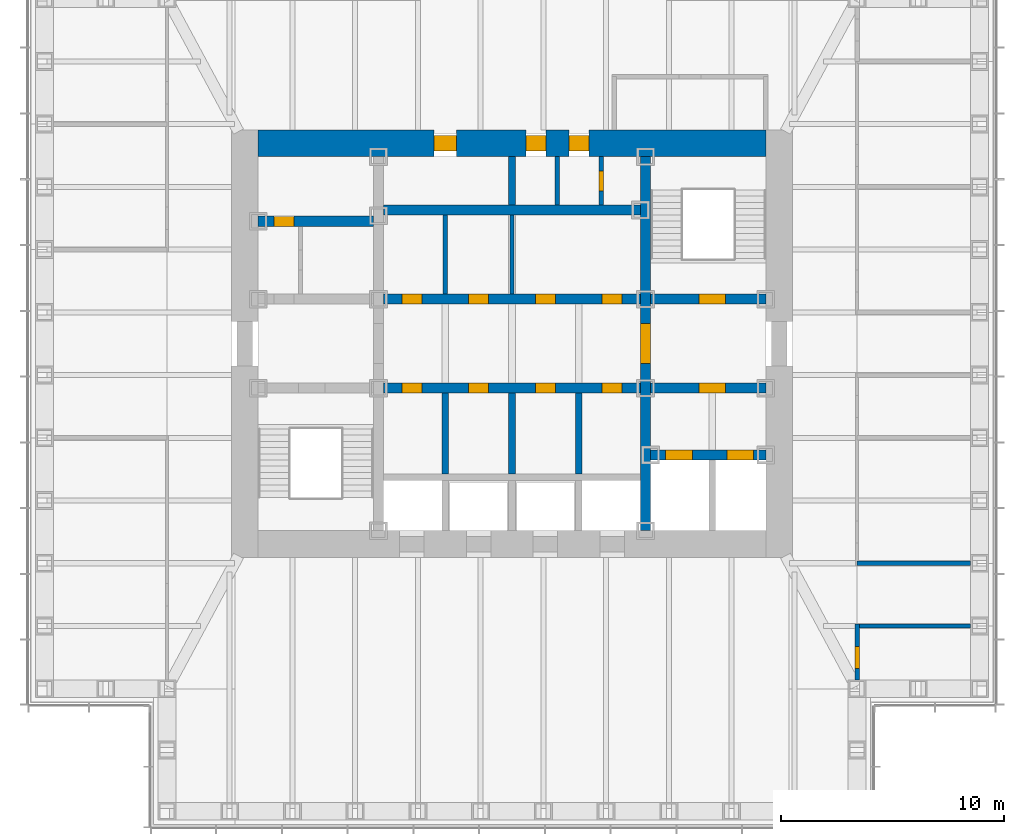
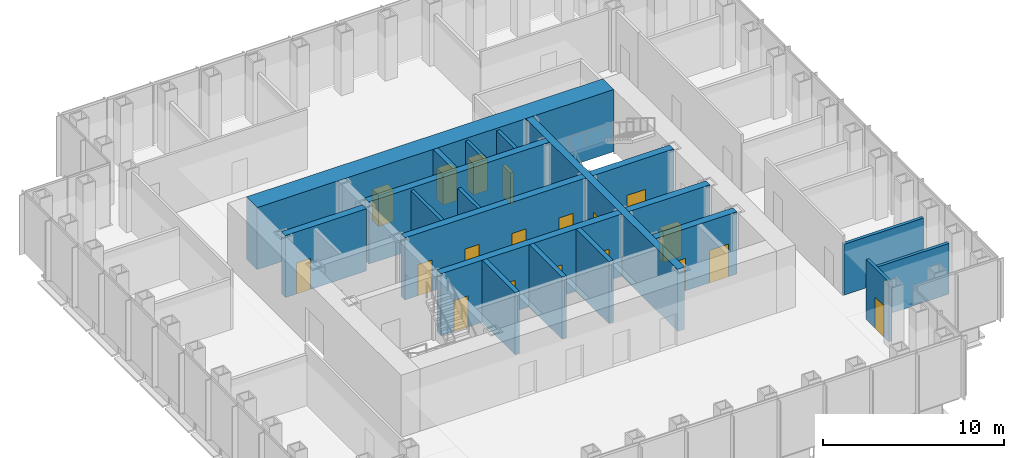
# One storey, part 9 of 16: 20 walls, 19 doors, 19 openings.
"""IFC4 building model written with IfcOpenShell, lengths in metres."""

from ifc_helpers import new_model, si_unit, direction, frame, frame_2d, origin, place, context, subcontext, project, spatial, rectangle, extrude, material, layer, layer_set, type_object, element, fill, save


model = new_model("IFC4")

# Units and contexts
model_context = context("Model", 3, precision=1e-05, world=origin(), true_north=direction((0.0, 1.0)))
body_context = subcontext(model_context, "Body", "Model", "MODEL_VIEW")
ifc_project = project(units=[si_unit("LENGTHUNIT", "METRE"), si_unit("AREAUNIT", "SQUARE_METRE"), si_unit("VOLUMEUNIT", "CUBIC_METRE"), si_unit("PLANEANGLEUNIT", "RADIAN"), si_unit("MASSUNIT", "GRAM", prefix="KILO")], contexts=[model_context])

# Site, building, storey
site_placement = place(None, origin())
site = spatial("IfcSite", under=ifc_project, at=site_placement, CompositionType="ELEMENT")
building_placement = place(site_placement, origin())
building = spatial("IfcBuilding", under=site, at=building_placement, Name="Daluyong Arena Tower", CompositionType="ELEMENT")
storey_placement = place(building_placement, frame((0.0, 0.0, 214.89990234375)))
storey = spatial("IfcBuildingStorey", under=building, at=storey_placement, Name="L48", CompositionType="ELEMENT", Elevation=214.89990234375)

# Wall, opening, door
ifc_material_1 = material(Name="Concrete fc' 45 MPa", Category="concrete")
ifc_layer_1 = layer(ifc_material_1, 0.449951171875)
ifc_layer_set_1 = layer_set([ifc_layer_1], Name="Concrete fc' 45 MPa")
wall_type_1 = type_object("IfcWallType", Name="Core inner wall 450", PredefinedType="SHEAR", material=ifc_layer_set_1)
wall_1_placement = place(storey_placement, frame((62.0, 71.60009765625, 0.0), z_axis=(0.0, 0.0, 1.0), x_axis=(0.0, 1.0, 0.0)))
wall_1 = element("IfcWall", 1, at=wall_1_placement, inside=storey, type_object=wall_type_1, Name="core inner wall at L48", PredefinedType="SHEAR", context=body_context, shape_type="SweptSolid", body=[
    extrude(rectangle(XDim=16.7998046875, YDim=0.449951171875, at=frame_2d((8.39990234375, 0.0))), origin(), (0.0, 0.0, 1.0), 4.2001953125),
])
opening_1_placement = place(wall_1_placement, frame((7.5, 0.0, 0.0)))
opening_1 = element("IfcOpeningElement", 2, at=opening_1_placement, cuts=wall_1, Name="Opening 48021", PredefinedType="OPENING", context=body_context, shape_type="SweptSolid", body=[
    extrude(rectangle(XDim=1.800048828125, YDim=2.39990234375, at=frame_2d((0.89990234375, 1.199951171875))), frame((0.0, 0.23486328125, 0.0), z_axis=(0.0, -1.0, 0.0), x_axis=(1.0, 0.0, 0.0)), (0.0, 0.0, 1.0), 0.469970703125),
])
ifc_material_2 = material(Name="Steel door, fire rated", Category="steel")
door_type_1 = type_object("IfcDoorType", Name="Lift lobby opening door 1800", OperationType="DOUBLE_DOOR_SINGLE_SWING", PredefinedType="DOOR", material=ifc_material_2)
door_1_placement = place(opening_1_placement, origin())
door_1 = element("IfcDoor", 3, at=door_1_placement, inside=storey, type_object=door_type_1, Name="lift lobby door east 48021", OperationType="DOUBLE_DOOR_SINGLE_SWING", OverallHeight=2.39990234375, OverallWidth=1.800048828125, PredefinedType="DOOR", context=body_context, shape_type="SweptSolid", body=[
    extrude(rectangle(XDim=1.800048828125, YDim=2.39990234375, at=frame_2d((0.89990234375, 1.199951171875))), frame((0.0, 0.224609375, 0.0), z_axis=(0.0, -1.0, 0.0), x_axis=(1.0, 0.0, 0.0)), (0.0, 0.0, 1.0), 0.449462890625),
])
fill(opening_1, door_1)

wall_2_placement = place(storey_placement, frame((44.60009765625, 85.5, 0.0), z_axis=(0.0, 0.0, 1.0), x_axis=(1.0, 0.0, 0.0)))
wall_2 = element("IfcWall", 4, at=wall_2_placement, inside=storey, type_object=wall_type_1, Name="core inner wall at L48", PredefinedType="SHEAR", context=body_context, shape_type="SweptSolid", body=[
    extrude(rectangle(XDim=5.1748046875, YDim=0.449951171875, at=frame_2d((2.58740234375, 0.0))), origin(), (0.0, 0.0, 1.0), 4.2001953125),
])
opening_2_placement = place(wall_2_placement, frame((0.699951171875, 0.0, 0.0)))
opening_2 = element("IfcOpeningElement", 5, at=opening_2_placement, cuts=wall_2, Name="Opening 48003", PredefinedType="OPENING", context=body_context, shape_type="SweptSolid", body=[
    extrude(rectangle(XDim=0.89990234375, YDim=2.10009765625, at=frame_2d((0.449951171875, 1.050048828125))), frame((0.0, 0.23486328125, 0.0), z_axis=(0.0, -1.0, 0.0), x_axis=(1.0, 0.0, 0.0)), (0.0, 0.0, 1.0), 0.469970703125),
])
ifc_material_3 = material(Name="Timber door", Category="wood")
door_type_2 = type_object("IfcDoorType", Name="Toilet door 900", OperationType="SINGLE_SWING_RIGHT", PredefinedType="DOOR", material=ifc_material_3)
door_2_placement = place(opening_2_placement, origin())
door_2 = element("IfcDoor", 6, at=door_2_placement, inside=storey, type_object=door_type_2, Name="female toilet door 48003", OperationType="SINGLE_SWING_RIGHT", OverallHeight=2.10009765625, OverallWidth=0.89990234375, PredefinedType="DOOR", context=body_context, shape_type="SweptSolid", body=[
    extrude(rectangle(XDim=0.89990234375, YDim=2.10009765625, at=frame_2d((0.449951171875, 1.050048828125))), frame((0.0, 0.224609375, 0.0), z_axis=(0.0, -1.0, 0.0), x_axis=(1.0, 0.0, 0.0)), (0.0, 0.0, 1.0), 0.449462890625),
])
fill(opening_2, door_2)

# Wall, openings, doors
wall_3_placement = place(storey_placement, frame((62.22509765625, 75.0, 0.0), z_axis=(0.0, 0.0, 1.0), x_axis=(1.0, 0.0, 0.0)))
wall_3 = element("IfcWall", 7, at=wall_3_placement, inside=storey, type_object=wall_type_1, Name="core inner wall at L48", PredefinedType="SHEAR", context=body_context, shape_type="SweptSolid", body=[
    extrude(rectangle(XDim=5.1748046875, YDim=0.449951171875, at=frame_2d((2.58740234375, 0.0))), origin(), (0.0, 0.0, 1.0), 4.2001953125),
])
opening_3_placement = place(wall_3_placement, frame((0.675048828125, 0.0, 0.0)))
opening_3 = element("IfcOpeningElement", 8, at=opening_3_placement, cuts=wall_3, Name="Opening 48027", PredefinedType="OPENING", context=body_context, shape_type="SweptSolid", body=[
    extrude(rectangle(XDim=1.199951171875, YDim=2.199951171875, at=frame_2d((0.60009765625, 1.10009765625))), frame((0.0, 0.23486328125, 0.0), z_axis=(0.0, -1.0, 0.0), x_axis=(1.0, 0.0, 0.0)), (0.0, 0.0, 1.0), 0.469970703125),
])
opening_4_placement = place(wall_3_placement, frame((3.425048828125, 0.0, 0.0)))
opening_4 = element("IfcOpeningElement", 9, at=opening_4_placement, cuts=wall_3, Name="Opening 48028", PredefinedType="OPENING", context=body_context, shape_type="SweptSolid", body=[
    extrude(rectangle(XDim=1.199951171875, YDim=2.199951171875, at=frame_2d((0.60009765625, 1.10009765625))), frame((0.0, 0.23486328125, 0.0), z_axis=(0.0, -1.0, 0.0), x_axis=(1.0, 0.0, 0.0)), (0.0, 0.0, 1.0), 0.469970703125),
])
ifc_material_4 = material(Name="Steel door, fire rated", Category="steel")
door_type_3 = type_object("IfcDoorType", Name="Firefighting lift landing door 1200", OperationType="SLIDING_TO_LEFT", PredefinedType="DOOR", material=ifc_material_4)
door_3_placement = place(opening_3_placement, origin())
door_3 = element("IfcDoor", 10, at=door_3_placement, inside=storey, type_object=door_type_3, Name="firefighting lift landing door F1 48027", OperationType="SLIDING_TO_LEFT", OverallHeight=2.199951171875, OverallWidth=1.199951171875, PredefinedType="DOOR", context=body_context, shape_type="SweptSolid", body=[
    extrude(rectangle(XDim=1.199951171875, YDim=2.199951171875, at=frame_2d((0.60009765625, 1.10009765625))), frame((0.0, 0.224609375, 0.0), z_axis=(0.0, -1.0, 0.0), x_axis=(1.0, 0.0, 0.0)), (0.0, 0.0, 1.0), 0.449462890625),
])
fill(opening_3, door_3)
door_4_placement = place(opening_4_placement, origin())
door_4 = element("IfcDoor", 11, at=door_4_placement, inside=storey, type_object=door_type_3, Name="firefighting lift landing door F2 48028", OperationType="SLIDING_TO_LEFT", OverallHeight=2.199951171875, OverallWidth=1.199951171875, PredefinedType="DOOR", context=body_context, shape_type="SweptSolid", body=[
    extrude(rectangle(XDim=1.199951171875, YDim=2.199951171875, at=frame_2d((0.60009765625, 1.10009765625))), frame((0.0, 0.224609375, 0.0), z_axis=(0.0, -1.0, 0.0), x_axis=(1.0, 0.0, 0.0)), (0.0, 0.0, 1.0), 0.449462890625),
])
fill(opening_4, door_4)

# Wall, opening, door
wall_4_placement = place(storey_placement, frame((62.22509765625, 78.0, 0.0), z_axis=(0.0, 0.0, 1.0), x_axis=(1.0, 0.0, 0.0)))
wall_4 = element("IfcWall", 12, at=wall_4_placement, inside=storey, type_object=wall_type_1, Name="core inner wall at L48", PredefinedType="SHEAR", context=body_context, shape_type="SweptSolid", body=[
    extrude(rectangle(XDim=5.1748046875, YDim=0.449951171875, at=frame_2d((2.58740234375, 0.0))), origin(), (0.0, 0.0, 1.0), 4.2001953125),
])
opening_5_placement = place(wall_4_placement, frame((2.175048828125, 0.0, 0.0)))
opening_5 = element("IfcOpeningElement", 13, at=opening_5_placement, cuts=wall_4, Name="Opening 48022", PredefinedType="OPENING", context=body_context, shape_type="SweptSolid", body=[
    extrude(rectangle(XDim=1.199951171875, YDim=2.10009765625, at=frame_2d((0.60009765625, 1.050048828125))), frame((0.0, 0.23486328125, 0.0), z_axis=(0.0, -1.0, 0.0), x_axis=(1.0, 0.0, 0.0)), (0.0, 0.0, 1.0), 0.469970703125),
])
ifc_material_5 = material(Name="Steel door, fire rated", Category="steel")
door_type_4 = type_object("IfcDoorType", Name="Firefighting lobby door 1200", OperationType="SINGLE_SWING_RIGHT", PredefinedType="DOOR", material=ifc_material_5)
door_5_placement = place(opening_5_placement, origin())
door_5 = element("IfcDoor", 14, at=door_5_placement, inside=storey, type_object=door_type_4, Name="firefighting lobby door 48022", OperationType="SINGLE_SWING_RIGHT", OverallHeight=2.10009765625, OverallWidth=1.199951171875, PredefinedType="DOOR", context=body_context, shape_type="SweptSolid", body=[
    extrude(rectangle(XDim=1.199951171875, YDim=2.10009765625, at=frame_2d((0.60009765625, 1.050048828125))), frame((0.0, 0.224609375, 0.0), z_axis=(0.0, -1.0, 0.0), x_axis=(1.0, 0.0, 0.0)), (0.0, 0.0, 1.0), 0.449462890625),
])
fill(opening_5, door_5)

wall_5_placement = place(storey_placement, frame((62.22509765625, 82.0, 0.0), z_axis=(0.0, 0.0, 1.0), x_axis=(1.0, 0.0, 0.0)))
wall_5 = element("IfcWall", 15, at=wall_5_placement, inside=storey, type_object=wall_type_1, Name="core inner wall at L48", PredefinedType="SHEAR", context=body_context, shape_type="SweptSolid", body=[
    extrude(rectangle(XDim=5.1748046875, YDim=0.449951171875, at=frame_2d((2.58740234375, 0.0))), origin(), (0.0, 0.0, 1.0), 4.2001953125),
])
opening_6_placement = place(wall_5_placement, frame((2.175048828125, 0.0, 0.0)))
opening_6 = element("IfcOpeningElement", 16, at=opening_6_placement, cuts=wall_5, Name="Opening 48017", PredefinedType="OPENING", context=body_context, shape_type="SweptSolid", body=[
    extrude(rectangle(XDim=1.199951171875, YDim=2.10009765625, at=frame_2d((0.60009765625, 1.050048828125))), frame((0.0, 0.23486328125, 0.0), z_axis=(0.0, -1.0, 0.0), x_axis=(1.0, 0.0, 0.0)), (0.0, 0.0, 1.0), 0.469970703125),
])
ifc_material_6 = material(Name="Steel door, fire rated", Category="steel")
door_type_5 = type_object("IfcDoorType", Name="Stair door 1200", OperationType="SINGLE_SWING_LEFT", PredefinedType="DOOR", material=ifc_material_6)
door_6_placement = place(opening_6_placement, origin())
door_6 = element("IfcDoor", 17, at=door_6_placement, inside=storey, type_object=door_type_5, Name="stair B door 48017", OperationType="SINGLE_SWING_LEFT", OverallHeight=2.10009765625, OverallWidth=1.199951171875, PredefinedType="DOOR", context=body_context, shape_type="SweptSolid", body=[
    extrude(rectangle(XDim=1.199951171875, YDim=2.10009765625, at=frame_2d((0.60009765625, 1.050048828125))), frame((0.0, 0.224609375, 0.0), z_axis=(0.0, -1.0, 0.0), x_axis=(1.0, 0.0, 0.0)), (0.0, 0.0, 1.0), 0.449462890625),
])
fill(opening_6, door_6)

# Wall, openings, doors
wall_6_placement = place(storey_placement, frame((50.22509765625, 78.0, 0.0), z_axis=(0.0, 0.0, 1.0), x_axis=(1.0, 0.0, 0.0)))
wall_6 = element("IfcWall", 18, at=wall_6_placement, inside=storey, type_object=wall_type_1, Name="core inner wall at L48", PredefinedType="SHEAR", context=body_context, shape_type="SweptSolid", body=[
    extrude(rectangle(XDim=11.5498046875, YDim=0.449951171875, at=frame_2d((5.77490234375, 0.0))), origin(), (0.0, 0.0, 1.0), 4.2001953125),
])
opening_7_placement = place(wall_6_placement, frame((0.824951171875, 0.0, 0.0)))
opening_7 = element("IfcOpeningElement", 19, at=opening_7_placement, cuts=wall_6, Name="Opening 48008", PredefinedType="OPENING", context=body_context, shape_type="SweptSolid", body=[
    extrude(rectangle(XDim=0.89990234375, YDim=2.10009765625, at=frame_2d((0.449951171875, 1.050048828125))), frame((0.0, 0.23486328125, 0.0), z_axis=(0.0, -1.0, 0.0), x_axis=(1.0, 0.0, 0.0)), (0.0, 0.0, 1.0), 0.469970703125),
])
opening_8_placement = place(wall_6_placement, frame((3.824951171875, 0.0, 0.0)))
opening_8 = element("IfcOpeningElement", 20, at=opening_8_placement, cuts=wall_6, Name="Opening 48009", PredefinedType="OPENING", context=body_context, shape_type="SweptSolid", body=[
    extrude(rectangle(XDim=0.89990234375, YDim=2.10009765625, at=frame_2d((0.449951171875, 1.050048828125))), frame((0.0, 0.23486328125, 0.0), z_axis=(0.0, -1.0, 0.0), x_axis=(1.0, 0.0, 0.0)), (0.0, 0.0, 1.0), 0.469970703125),
])
opening_9_placement = place(wall_6_placement, frame((6.824951171875, 0.0, 0.0)))
opening_9 = element("IfcOpeningElement", 21, at=opening_9_placement, cuts=wall_6, Name="Opening 48010", PredefinedType="OPENING", context=body_context, shape_type="SweptSolid", body=[
    extrude(rectangle(XDim=0.89990234375, YDim=2.10009765625, at=frame_2d((0.449951171875, 1.050048828125))), frame((0.0, 0.23486328125, 0.0), z_axis=(0.0, -1.0, 0.0), x_axis=(1.0, 0.0, 0.0)), (0.0, 0.0, 1.0), 0.469970703125),
])
opening_10_placement = place(wall_6_placement, frame((9.824951171875, 0.0, 0.0)))
opening_10 = element("IfcOpeningElement", 22, at=opening_10_placement, cuts=wall_6, Name="Opening 48011", PredefinedType="OPENING", context=body_context, shape_type="SweptSolid", body=[
    extrude(rectangle(XDim=0.89990234375, YDim=2.10009765625, at=frame_2d((0.449951171875, 1.050048828125))), frame((0.0, 0.23486328125, 0.0), z_axis=(0.0, -1.0, 0.0), x_axis=(1.0, 0.0, 0.0)), (0.0, 0.0, 1.0), 0.469970703125),
])
ifc_material_7 = material(Name="Steel door, fire rated", Category="steel")
door_type_6 = type_object("IfcDoorType", Name="Core room door 900", OperationType="SINGLE_SWING_LEFT", PredefinedType="DOOR", material=ifc_material_7)
door_7_placement = place(opening_10_placement, origin())
door_7 = element("IfcDoor", 23, at=door_7_placement, inside=storey, type_object=door_type_6, Name="mail room door 48011", OperationType="SINGLE_SWING_LEFT", OverallHeight=2.10009765625, OverallWidth=0.89990234375, PredefinedType="DOOR", context=body_context, shape_type="SweptSolid", body=[
    extrude(rectangle(XDim=0.89990234375, YDim=2.10009765625, at=frame_2d((0.449951171875, 1.050048828125))), frame((0.0, 0.224609375, 0.0), z_axis=(0.0, -1.0, 0.0), x_axis=(1.0, 0.0, 0.0)), (0.0, 0.0, 1.0), 0.449462890625),
])
fill(opening_10, door_7)
ifc_material_8 = material(Name="Steel door, fire rated", Category="steel")
door_type_7 = type_object("IfcDoorType", Name="Core store door 900", OperationType="SINGLE_SWING_LEFT", PredefinedType="DOOR", material=ifc_material_8)
door_8_placement = place(opening_7_placement, origin())
door_8 = element("IfcDoor", 24, at=door_8_placement, inside=storey, type_object=door_type_7, Name="stationery store door 48008", OperationType="SINGLE_SWING_LEFT", OverallHeight=2.10009765625, OverallWidth=0.89990234375, PredefinedType="DOOR", context=body_context, shape_type="SweptSolid", body=[
    extrude(rectangle(XDim=0.89990234375, YDim=2.10009765625, at=frame_2d((0.449951171875, 1.050048828125))), frame((0.0, 0.224609375, 0.0), z_axis=(0.0, -1.0, 0.0), x_axis=(1.0, 0.0, 0.0)), (0.0, 0.0, 1.0), 0.449462890625),
])
fill(opening_7, door_8)
door_9_placement = place(opening_8_placement, origin())
door_9 = element("IfcDoor", 25, at=door_9_placement, inside=storey, type_object=door_type_7, Name="cleaner's store door 48009", OperationType="SINGLE_SWING_LEFT", OverallHeight=2.10009765625, OverallWidth=0.89990234375, PredefinedType="DOOR", context=body_context, shape_type="SweptSolid", body=[
    extrude(rectangle(XDim=0.89990234375, YDim=2.10009765625, at=frame_2d((0.449951171875, 1.050048828125))), frame((0.0, 0.224609375, 0.0), z_axis=(0.0, -1.0, 0.0), x_axis=(1.0, 0.0, 0.0)), (0.0, 0.0, 1.0), 0.449462890625),
])
fill(opening_8, door_9)
door_10_placement = place(opening_9_placement, origin())
door_10 = element("IfcDoor", 26, at=door_10_placement, inside=storey, type_object=door_type_7, Name="security store door 48010", OperationType="SINGLE_SWING_LEFT", OverallHeight=2.10009765625, OverallWidth=0.89990234375, PredefinedType="DOOR", context=body_context, shape_type="SweptSolid", body=[
    extrude(rectangle(XDim=0.89990234375, YDim=2.10009765625, at=frame_2d((0.449951171875, 1.050048828125))), frame((0.0, 0.224609375, 0.0), z_axis=(0.0, -1.0, 0.0), x_axis=(1.0, 0.0, 0.0)), (0.0, 0.0, 1.0), 0.449462890625),
])
fill(opening_9, door_10)

wall_7_placement = place(storey_placement, frame((50.22509765625, 82.0, 0.0), z_axis=(0.0, 0.0, 1.0), x_axis=(1.0, 0.0, 0.0)))
wall_7 = element("IfcWall", 27, at=wall_7_placement, inside=storey, type_object=wall_type_1, Name="core inner wall at L48", PredefinedType="SHEAR", context=body_context, shape_type="SweptSolid", body=[
    extrude(rectangle(XDim=11.5498046875, YDim=0.449951171875, at=frame_2d((5.77490234375, 0.0))), origin(), (0.0, 0.0, 1.0), 4.2001953125),
])
opening_11_placement = place(wall_7_placement, frame((0.824951171875, 0.0, 0.0)))
opening_11 = element("IfcOpeningElement", 28, at=opening_11_placement, cuts=wall_7, Name="Opening 48012", PredefinedType="OPENING", context=body_context, shape_type="SweptSolid", body=[
    extrude(rectangle(XDim=0.89990234375, YDim=2.10009765625, at=frame_2d((0.449951171875, 1.050048828125))), frame((0.0, 0.23486328125, 0.0), z_axis=(0.0, -1.0, 0.0), x_axis=(1.0, 0.0, 0.0)), (0.0, 0.0, 1.0), 0.469970703125),
])
opening_12_placement = place(wall_7_placement, frame((3.824951171875, 0.0, 0.0)))
opening_12 = element("IfcOpeningElement", 29, at=opening_12_placement, cuts=wall_7, Name="Opening 48013", PredefinedType="OPENING", context=body_context, shape_type="SweptSolid", body=[
    extrude(rectangle(XDim=0.89990234375, YDim=2.10009765625, at=frame_2d((0.449951171875, 1.050048828125))), frame((0.0, 0.23486328125, 0.0), z_axis=(0.0, -1.0, 0.0), x_axis=(1.0, 0.0, 0.0)), (0.0, 0.0, 1.0), 0.469970703125),
])
opening_13_placement = place(wall_7_placement, frame((6.824951171875, 0.0, 0.0)))
opening_13 = element("IfcOpeningElement", 30, at=opening_13_placement, cuts=wall_7, Name="Opening 48014", PredefinedType="OPENING", context=body_context, shape_type="SweptSolid", body=[
    extrude(rectangle(XDim=0.89990234375, YDim=2.10009765625, at=frame_2d((0.449951171875, 1.050048828125))), frame((0.0, 0.23486328125, 0.0), z_axis=(0.0, -1.0, 0.0), x_axis=(1.0, 0.0, 0.0)), (0.0, 0.0, 1.0), 0.469970703125),
])
opening_14_placement = place(wall_7_placement, frame((9.824951171875, 0.0, 0.0)))
opening_14 = element("IfcOpeningElement", 31, at=opening_14_placement, cuts=wall_7, Name="Opening 48015", PredefinedType="OPENING", context=body_context, shape_type="SweptSolid", body=[
    extrude(rectangle(XDim=0.89990234375, YDim=2.10009765625, at=frame_2d((0.449951171875, 1.050048828125))), frame((0.0, 0.23486328125, 0.0), z_axis=(0.0, -1.0, 0.0), x_axis=(1.0, 0.0, 0.0)), (0.0, 0.0, 1.0), 0.469970703125),
])
door_11_placement = place(opening_11_placement, origin())
door_11 = element("IfcDoor", 32, at=door_11_placement, inside=storey, type_object=door_type_6, Name="parcel room door 48012", OperationType="SINGLE_SWING_LEFT", OverallHeight=2.10009765625, OverallWidth=0.89990234375, PredefinedType="DOOR", context=body_context, shape_type="SweptSolid", body=[
    extrude(rectangle(XDim=0.89990234375, YDim=2.10009765625, at=frame_2d((0.449951171875, 1.050048828125))), frame((0.0, 0.224609375, 0.0), z_axis=(0.0, -1.0, 0.0), x_axis=(1.0, 0.0, 0.0)), (0.0, 0.0, 1.0), 0.449462890625),
])
fill(opening_11, door_11)
door_12_placement = place(opening_12_placement, origin())
door_12 = element("IfcDoor", 33, at=door_12_placement, inside=storey, type_object=door_type_7, Name="tenant store door 48013", OperationType="SINGLE_SWING_LEFT", OverallHeight=2.10009765625, OverallWidth=0.89990234375, PredefinedType="DOOR", context=body_context, shape_type="SweptSolid", body=[
    extrude(rectangle(XDim=0.89990234375, YDim=2.10009765625, at=frame_2d((0.449951171875, 1.050048828125))), frame((0.0, 0.224609375, 0.0), z_axis=(0.0, -1.0, 0.0), x_axis=(1.0, 0.0, 0.0)), (0.0, 0.0, 1.0), 0.449462890625),
])
fill(opening_12, door_12)
door_13_placement = place(opening_13_placement, origin())
door_13 = element("IfcDoor", 34, at=door_13_placement, inside=storey, type_object=door_type_7, Name="furniture store door 48014", OperationType="SINGLE_SWING_LEFT", OverallHeight=2.10009765625, OverallWidth=0.89990234375, PredefinedType="DOOR", context=body_context, shape_type="SweptSolid", body=[
    extrude(rectangle(XDim=0.89990234375, YDim=2.10009765625, at=frame_2d((0.449951171875, 1.050048828125))), frame((0.0, 0.224609375, 0.0), z_axis=(0.0, -1.0, 0.0), x_axis=(1.0, 0.0, 0.0)), (0.0, 0.0, 1.0), 0.449462890625),
])
fill(opening_13, door_13)
door_14_placement = place(opening_14_placement, origin())
door_14 = element("IfcDoor", 35, at=door_14_placement, inside=storey, type_object=door_type_7, Name="furniture store door 48015", OperationType="SINGLE_SWING_LEFT", OverallHeight=2.10009765625, OverallWidth=0.89990234375, PredefinedType="DOOR", context=body_context, shape_type="SweptSolid", body=[
    extrude(rectangle(XDim=0.89990234375, YDim=2.10009765625, at=frame_2d((0.449951171875, 1.050048828125))), frame((0.0, 0.224609375, 0.0), z_axis=(0.0, -1.0, 0.0), x_axis=(1.0, 0.0, 0.0)), (0.0, 0.0, 1.0), 0.449462890625),
])
fill(opening_14, door_14)

# Wall
wall_8_placement = place(storey_placement, frame((50.22509765625, 86.0, 0.0), z_axis=(0.0, 0.0, 1.0), x_axis=(1.0, 0.0, 0.0)))
element("IfcWall", 36, at=wall_8_placement, inside=storey, type_object=wall_type_1, Name="core inner wall at L48", PredefinedType="SHEAR", context=body_context, shape_type="SweptSolid", body=[
    extrude(rectangle(XDim=11.5498046875, YDim=0.449951171875, at=frame_2d((5.77490234375, 0.0))), origin(), (0.0, 0.0, 1.0), 4.2001953125),
])

# Wall, openings, doors
ifc_material_9 = material(Name="Concrete fc' 60 MPa", Category="concrete")
ifc_layer_2 = layer(ifc_material_9, 1.199951171875)
ifc_layer_set_2 = layer_set([ifc_layer_2], Name="Concrete fc' 60 MPa")
wall_type_2 = type_object("IfcWallType", Name="Core wall 1200", PredefinedType="SHEAR", material=ifc_layer_set_2)
wall_9_placement = place(storey_placement, frame((44.60009765625, 89.0, 0.0), z_axis=(0.0, 0.0, 1.0), x_axis=(1.0, 0.0, 0.0)))
wall_9 = element("IfcWall", 37, at=wall_9_placement, inside=storey, type_object=wall_type_2, Name="core wall at L48", PredefinedType="SHEAR", context=body_context, shape_type="SweptSolid", body=[
    extrude(rectangle(XDim=22.7998046875, YDim=1.199951171875, at=frame_2d((11.39990234375, 0.0))), origin(), (0.0, 0.0, 1.0), 4.2001953125),
])
opening_15_placement = place(wall_9_placement, frame((7.89990234375, 0.0, 0.0)))
opening_15 = element("IfcOpeningElement", 38, at=opening_15_placement, cuts=wall_9, Name="Opening 48004", PredefinedType="OPENING", context=body_context, shape_type="SweptSolid", body=[
    extrude(rectangle(XDim=1.0, YDim=2.10009765625, at=frame_2d((0.5, 1.050048828125))), frame((0.0, 0.60986328125, 0.0), z_axis=(0.0, -1.0, 0.0), x_axis=(1.0, 0.0, 0.0)), (0.0, 0.0, 1.0), 1.219970703125),
])
opening_16_placement = place(wall_9_placement, frame((12.02490234375, 0.0, 0.0)))
opening_16 = element("IfcOpeningElement", 39, at=opening_16_placement, cuts=wall_9, Name="Opening 48005", PredefinedType="OPENING", context=body_context, shape_type="SweptSolid", body=[
    extrude(rectangle(XDim=0.89990234375, YDim=2.10009765625, at=frame_2d((0.449951171875, 1.050048828125))), frame((0.0, 0.60986328125, 0.0), z_axis=(0.0, -1.0, 0.0), x_axis=(1.0, 0.0, 0.0)), (0.0, 0.0, 1.0), 1.219970703125),
])
opening_17_placement = place(wall_9_placement, frame((13.96240234375, 0.0, 0.0)))
opening_17 = element("IfcOpeningElement", 40, at=opening_17_placement, cuts=wall_9, Name="Opening 48006", PredefinedType="OPENING", context=body_context, shape_type="SweptSolid", body=[
    extrude(rectangle(XDim=0.89990234375, YDim=2.10009765625, at=frame_2d((0.449951171875, 1.050048828125))), frame((0.0, 0.60986328125, 0.0), z_axis=(0.0, -1.0, 0.0), x_axis=(1.0, 0.0, 0.0)), (0.0, 0.0, 1.0), 1.219970703125),
])
ifc_material_10 = material(Name="Timber door", Category="wood")
door_type_8 = type_object("IfcDoorType", Name="Accessible toilet door 1000", OperationType="SINGLE_SWING_LEFT", PredefinedType="DOOR", material=ifc_material_10)
door_15_placement = place(opening_15_placement, origin())
door_15 = element("IfcDoor", 41, at=door_15_placement, inside=storey, type_object=door_type_8, Name="accessible toilet door 48004", OperationType="SINGLE_SWING_LEFT", OverallHeight=2.10009765625, OverallWidth=1.0, PredefinedType="DOOR", context=body_context, shape_type="SweptSolid", body=[
    extrude(rectangle(XDim=1.0, YDim=2.10009765625, at=frame_2d((0.5, 1.050048828125))), frame((0.0, 0.35009765625, 0.0), z_axis=(0.0, -1.0, 0.0), x_axis=(1.0, 0.0, 0.0)), (0.0, 0.0, 1.0), 0.699951171875),
])
fill(opening_15, door_15)
door_16_placement = place(opening_16_placement, origin())
door_16 = element("IfcDoor", 42, at=door_16_placement, inside=storey, type_object=door_type_7, Name="facilities store door 48005", OperationType="SINGLE_SWING_LEFT", OverallHeight=2.10009765625, OverallWidth=0.89990234375, PredefinedType="DOOR", context=body_context, shape_type="SweptSolid", body=[
    extrude(rectangle(XDim=0.89990234375, YDim=2.10009765625, at=frame_2d((0.449951171875, 1.050048828125))), frame((0.0, 0.35009765625, 0.0), z_axis=(0.0, -1.0, 0.0), x_axis=(1.0, 0.0, 0.0)), (0.0, 0.0, 1.0), 0.699951171875),
])
fill(opening_16, door_16)
ifc_material_11 = material(Name="Steel door, fire rated", Category="steel")
door_type_9 = type_object("IfcDoorType", Name="Plant room door 900", OperationType="SINGLE_SWING_LEFT", PredefinedType="DOOR", material=ifc_material_11)
door_17_placement = place(opening_17_placement, origin())
door_17 = element("IfcDoor", 43, at=door_17_placement, inside=storey, type_object=door_type_9, Name="comms room door 48006", OperationType="SINGLE_SWING_LEFT", OverallHeight=2.10009765625, OverallWidth=0.89990234375, PredefinedType="DOOR", context=body_context, shape_type="SweptSolid", body=[
    extrude(rectangle(XDim=0.89990234375, YDim=2.10009765625, at=frame_2d((0.449951171875, 1.050048828125))), frame((0.0, 0.35009765625, 0.0), z_axis=(0.0, -1.0, 0.0), x_axis=(1.0, 0.0, 0.0)), (0.0, 0.0, 1.0), 0.699951171875),
])
fill(opening_17, door_17)

# Wall, opening, door
ifc_material_12 = material(Name="Concrete block partition, fire rated", Category="concrete")
ifc_layer_3 = layer(ifc_material_12, 0.199951171875)
ifc_layer_set_3 = layer_set([ifc_layer_3], Name="Concrete block partition, fire rated")
wall_type_3 = type_object("IfcWallType", Name="Fire-rated partition 200", PredefinedType="PARTITIONING", material=ifc_layer_set_3)
wall_10_placement = place(storey_placement, frame((60.0, 86.22509765625, 0.0), z_axis=(0.0, 0.0, 1.0), x_axis=(0.0, 1.0, 0.0)))
wall_10 = element("IfcWall", 44, at=wall_10_placement, inside=storey, type_object=wall_type_3, Name="electrical riser enclosure at L48", PredefinedType="PARTITIONING", context=body_context, shape_type="SweptSolid", body=[
    extrude(rectangle(XDim=2.1748046875, YDim=0.199951171875, at=frame_2d((1.08740234375, 0.0))), origin(), (0.0, 0.0, 1.0), 4.0400390625),
])
opening_18_placement = place(wall_10_placement, frame((0.637451171875, 0.0, 0.0)))
opening_18 = element("IfcOpeningElement", 45, at=opening_18_placement, cuts=wall_10, Name="Opening 48007", PredefinedType="OPENING", context=body_context, shape_type="SweptSolid", body=[
    extrude(rectangle(XDim=0.89990234375, YDim=2.10009765625, at=frame_2d((0.449951171875, 1.050048828125))), frame((0.0, 0.10986328125, 0.0), z_axis=(0.0, -1.0, 0.0), x_axis=(1.0, 0.0, 0.0)), (0.0, 0.0, 1.0), 0.219970703125),
])
ifc_material_13 = material(Name="Steel door, fire rated", Category="steel")
door_type_10 = type_object("IfcDoorType", Name="Riser door 900", OperationType="SINGLE_SWING_LEFT", PredefinedType="DOOR", material=ifc_material_13)
door_18_placement = place(opening_18_placement, origin())
door_18 = element("IfcDoor", 46, at=door_18_placement, inside=storey, type_object=door_type_10, Name="riser door 48007", OperationType="SINGLE_SWING_LEFT", OverallHeight=2.10009765625, OverallWidth=0.89990234375, PredefinedType="DOOR", context=body_context, shape_type="SweptSolid", body=[
    extrude(rectangle(XDim=0.89990234375, YDim=2.10009765625, at=frame_2d((0.449951171875, 1.050048828125))), frame((0.0, 0.099609375, 0.0), z_axis=(0.0, -1.0, 0.0), x_axis=(1.0, 0.0, 0.0)), (0.0, 0.0, 1.0), 0.199462890625),
])
fill(opening_18, door_18)

# Walls
wall_11_placement = place(storey_placement, frame((58.02490234375, 86.22509765625, 0.0), z_axis=(0.0, 0.0, 1.0), x_axis=(0.0, 1.0, 0.0)))
element("IfcWall", 47, at=wall_11_placement, inside=storey, type_object=wall_type_3, Name="core room partition at L48", PredefinedType="PARTITIONING", context=body_context, shape_type="SweptSolid", body=[
    extrude(rectangle(XDim=2.1748046875, YDim=0.199951171875, at=frame_2d((1.08740234375, 0.0))), origin(), (0.0, 0.0, 1.0), 4.0400390625),
])
wall_12_placement = place(storey_placement, frame((53.0, 82.22509765625, 0.0), z_axis=(0.0, 0.0, 1.0), x_axis=(0.0, 1.0, 0.0)))
element("IfcWall", 48, at=wall_12_placement, inside=storey, type_object=wall_type_3, Name="core room partition at L48", PredefinedType="PARTITIONING", context=body_context, shape_type="SweptSolid", body=[
    extrude(rectangle(XDim=3.5498046875, YDim=0.199951171875, at=frame_2d((1.77490234375, 0.0))), origin(), (0.0, 0.0, 1.0), 4.0400390625),
])
wall_13_placement = place(storey_placement, frame((56.0, 82.22509765625, 0.0), z_axis=(0.0, 0.0, 1.0), x_axis=(0.0, 1.0, 0.0)))
element("IfcWall", 49, at=wall_13_placement, inside=storey, type_object=wall_type_3, Name="core room partition at L48", PredefinedType="PARTITIONING", context=body_context, shape_type="SweptSolid", body=[
    extrude(rectangle(XDim=3.5498046875, YDim=0.199951171875, at=frame_2d((1.77490234375, 0.0))), origin(), (0.0, 0.0, 1.0), 3.14013671875),
])
ifc_material_14 = material(Name="Concrete fc' 45 MPa", Category="concrete")
ifc_layer_4 = layer(ifc_material_14, 0.300048828125)
ifc_layer_set_4 = layer_set([ifc_layer_4], Name="Concrete fc' 45 MPa")
wall_type_4 = type_object("IfcWallType", Name="Lift shaft wall 300", PredefinedType="SHEAR", material=ifc_layer_set_4)
for number, where, z_axis, x_axis, name in (
    (50, (53.0, 74.14990234375, 0.0), (0.0, 0.0, 1.0), (0.0, 1.0, 0.0), "lift shaft wall at L48"),
    (51, (56.0, 74.14990234375, 0.0), (0.0, 0.0, 1.0), (0.0, 1.0, 0.0), "lift shaft wall at L48"),
    (52, (59.0, 74.14990234375, 0.0), (0.0, 0.0, 1.0), (0.0, 1.0, 0.0), "lift shaft wall at L48"),
):
    element("IfcWall", number, at=place(storey_placement, frame(where, z_axis=z_axis, x_axis=x_axis)), inside=storey, type_object=wall_type_4, Name=name, PredefinedType="SHEAR", context=body_context, shape_type="SweptSolid", body=[
        extrude(rectangle(XDim=3.625, YDim=0.300048828125, at=frame_2d((1.8125, 0.0))), origin(), (0.0, 0.0, 1.0), 4.2001953125),
    ])
wall_14_placement = place(storey_placement, frame((56.0, 86.22509765625, 0.0), z_axis=(0.0, 0.0, 1.0), x_axis=(0.0, 1.0, 0.0)))
element("IfcWall", 53, at=wall_14_placement, inside=storey, type_object=wall_type_4, Name="lift shaft wall at L48", PredefinedType="SHEAR", context=body_context, shape_type="SweptSolid", body=[
    extrude(rectangle(XDim=2.1748046875, YDim=0.300048828125, at=frame_2d((1.08740234375, 0.0))), origin(), (0.0, 0.0, 1.0), 4.2001953125),
])
ifc_material_15 = material(Name="Concrete block partition", Category="concrete")
ifc_layer_5 = layer(ifc_material_15, 0.199951171875)
ifc_layer_set_5 = layer_set([ifc_layer_5], Name="Concrete block partition")
wall_type_5 = type_object("IfcWallType", Name="Partition 200", PredefinedType="PARTITIONING", material=ifc_layer_set_5)
for number, where, z_axis, x_axis, name in (
    (54, (71.5, 67.318115234375, 0.0), (0.0, 0.0, 1.0), (1.0, 0.0, 0.0), "partition at L48"),
    (55, (71.5, 70.136474609375, 0.0), (0.0, 0.0, 1.0), (1.0, 0.0, 0.0), "partition at L48"),
):
    element("IfcWall", number, at=place(storey_placement, frame(where, z_axis=z_axis, x_axis=x_axis)), inside=storey, type_object=wall_type_5, Name=name, PredefinedType="PARTITIONING", context=body_context, shape_type="SweptSolid", body=[
        extrude(rectangle(XDim=5.10009765625, YDim=0.199951171875, at=frame_2d((2.550048828125, 0.0))), origin(), (0.0, 0.0, 1.0), 3.427978515625),
    ])

# Wall, opening, door
wall_15_placement = place(storey_placement, frame((71.5, 64.89990234375, 0.0), z_axis=(0.0, 0.0, 1.0), x_axis=(0.0, 1.0, 0.0)))
wall_15 = element("IfcWall", 56, at=wall_15_placement, inside=storey, type_object=wall_type_5, Name="partition at L48", PredefinedType="PARTITIONING", context=body_context, shape_type="SweptSolid", body=[
    extrude(rectangle(XDim=2.518310546875, YDim=0.199951171875, at=frame_2d((1.25927734375, 0.0))), origin(), (0.0, 0.0, 1.0), 4.0400390625),
])
opening_19_placement = place(wall_15_placement, frame((0.509033203125, 0.0, 0.0)))
opening_19 = element("IfcOpeningElement", 57, at=opening_19_placement, cuts=wall_15, Name="Opening 48029", PredefinedType="OPENING", context=body_context, shape_type="SweptSolid", body=[
    extrude(rectangle(XDim=1.0, YDim=2.10009765625, at=frame_2d((0.5, 1.050048828125))), frame((0.0, 0.10986328125, 0.0), z_axis=(0.0, -1.0, 0.0), x_axis=(1.0, 0.0, 0.0)), (0.0, 0.0, 1.0), 0.219970703125),
])
ifc_material_16 = material(Name="Timber door", Category="wood")
door_type_11 = type_object("IfcDoorType", Name="Room door 1000", OperationType="SINGLE_SWING_LEFT", PredefinedType="DOOR", material=ifc_material_16)
door_19_placement = place(opening_19_placement, origin())
door_19 = element("IfcDoor", 58, at=door_19_placement, inside=storey, type_object=door_type_11, Name="wellness room door 48029", OperationType="SINGLE_SWING_LEFT", OverallHeight=2.10009765625, OverallWidth=1.0, PredefinedType="DOOR", context=body_context, shape_type="SweptSolid", body=[
    extrude(rectangle(XDim=1.0, YDim=2.10009765625, at=frame_2d((0.5, 1.050048828125))), frame((0.0, 0.099609375, 0.0), z_axis=(0.0, -1.0, 0.0), x_axis=(1.0, 0.0, 0.0)), (0.0, 0.0, 1.0), 0.199462890625),
])
fill(opening_19, door_19)

save(model, "model.ifc")
